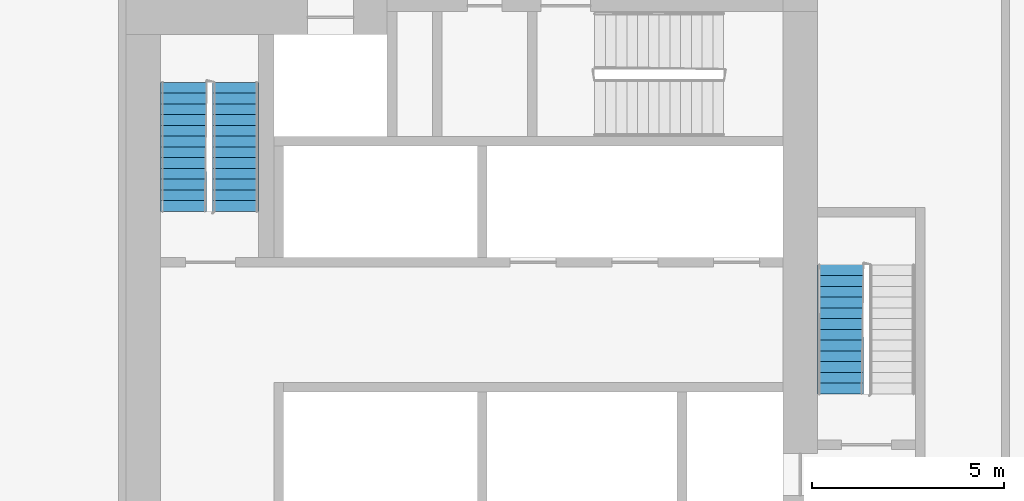
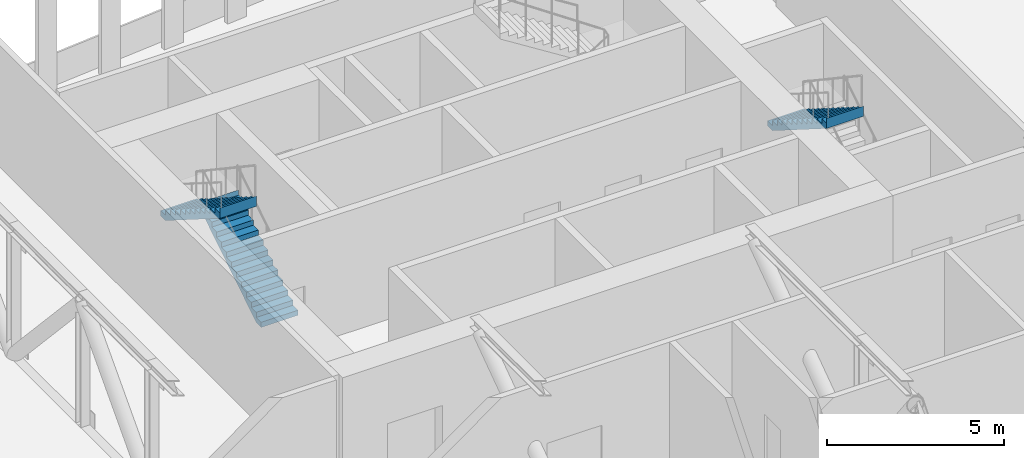
# One storey, part 19 of 22: 3 stair flights, 2 elements without a shape of their own.
"""IFC4 building model written with IfcOpenShell, lengths in metres."""

from ifc_helpers import new_model, si_unit, direction, frame, origin, place, context, subcontext, project, spatial, faceted_brep, material, type_object, element, aggregate, save


model = new_model("IFC4")

# Units and contexts
model_context = context("Model", 3, precision=1e-05, world=origin(), true_north=direction((0.0, 1.0)))
body_context = subcontext(model_context, "Body", "Model", "MODEL_VIEW")
ifc_project = project(units=[si_unit("LENGTHUNIT", "METRE"), si_unit("AREAUNIT", "SQUARE_METRE"), si_unit("VOLUMEUNIT", "CUBIC_METRE"), si_unit("PLANEANGLEUNIT", "RADIAN"), si_unit("MASSUNIT", "GRAM", prefix="KILO")], contexts=[model_context])

# Site, building, storey
site_placement = place(None, origin())
site = spatial("IfcSite", under=ifc_project, at=site_placement, CompositionType="ELEMENT")
building_placement = place(site_placement, origin())
building = spatial("IfcBuilding", under=site, at=building_placement, Name="Kajstack Hotel Tower", CompositionType="ELEMENT")
storey_placement = place(building_placement, frame((0.0, 0.0, 150.39990234375)))
storey = spatial("IfcBuildingStorey", under=building, at=storey_placement, Name="L35", CompositionType="ELEMENT", Elevation=150.39990234375)

# Stair, stair flight
ifc_material = material(Name="Concrete C40/50", Category="concrete")
stair_type = type_object("IfcStairType", Name="Exit stair 1200", PredefinedType="HALF_TURN_STAIR", material=ifc_material)
stair_1_placement = place(storey_placement, origin())
stair_1 = element("IfcStair", 1, at=stair_1_placement, inside=storey, type_object=stair_type, Name="L35 stair E1", PredefinedType="HALF_TURN_STAIR")
stair_flight_type = type_object("IfcStairFlightType", Name="Exit stair flight 1200", PredefinedType="STRAIGHT", material=ifc_material)
stair_flight_1_placement = place(storey_placement, frame((32.10009765625, 8.610107421875, 2.300048828125), z_axis=(0.0, 0.0, 1.0), x_axis=(0.0, -1.0, 0.0)))
stair_flight_1 = element("IfcStairFlight", 2, at=stair_flight_1_placement, type_object=stair_flight_type, Name="E1 flight 2", NumberOfRisers=13, NumberOfTreads=12, PredefinedType="STRAIGHT", RiserHeight=0.176923077, TreadLength=0.28, context=body_context, shape_type="Brep", body=[
    faceted_brep([(0.281005859375, -0.60009765625, 0.0), (3.360595703125, -0.60009765625, 1.94580078125), (3.360595703125, -0.60009765625, 2.300048828125), (3.360107421875, -0.60009765625, 2.300048828125), (3.360107421875, -0.60009765625, 2.123046875), (3.080078125, -0.60009765625, 2.123046875), (3.080078125, -0.60009765625, 1.946044921875), (2.800048828125, -0.60009765625, 1.946044921875), (2.800048828125, -0.60009765625, 1.769287109375), (2.52001953125, -0.60009765625, 1.769287109375), (2.52001953125, -0.60009765625, 1.59228515625), (2.239990234375, -0.60009765625, 1.59228515625), (2.239990234375, -0.60009765625, 1.415283203125), (1.9599609375, -0.60009765625, 1.415283203125), (1.9599609375, -0.60009765625, 1.238525390625), (1.679931640625, -0.60009765625, 1.238525390625), (1.679931640625, -0.60009765625, 1.0615234375), (1.39990234375, -0.60009765625, 1.0615234375), (1.39990234375, -0.60009765625, 0.884521484375), (1.1201171875, -0.60009765625, 0.884521484375), (1.1201171875, -0.60009765625, 0.707763671875), (0.840087890625, -0.60009765625, 0.707763671875), (0.840087890625, -0.60009765625, 0.53076171875), (0.56005859375, -0.60009765625, 0.53076171875), (0.56005859375, -0.60009765625, 0.353759765625), (0.280029296875, -0.60009765625, 0.353759765625), (0.280029296875, -0.60009765625, 0.177001953125), (-0.00048828125, -0.60009765625, 0.177001953125), (-0.00048828125, -0.60009765625, 0.0), (-0.00048828125, 0.60009765625, 0.0), (-0.00048828125, 0.60009765625, 0.177001953125), (0.280029296875, 0.60009765625, 0.177001953125), (0.280029296875, 0.60009765625, 0.353759765625), (0.56005859375, 0.60009765625, 0.353759765625), (0.56005859375, 0.60009765625, 0.53076171875), (0.840087890625, 0.60009765625, 0.53076171875), (0.840087890625, 0.60009765625, 0.707763671875), (1.1201171875, 0.60009765625, 0.707763671875), (1.1201171875, 0.60009765625, 0.884521484375), (1.39990234375, 0.60009765625, 0.884521484375), (1.39990234375, 0.60009765625, 1.0615234375), (1.679931640625, 0.60009765625, 1.0615234375), (1.679931640625, 0.60009765625, 1.238525390625), (1.9599609375, 0.60009765625, 1.238525390625), (1.9599609375, 0.60009765625, 1.415283203125), (2.239990234375, 0.60009765625, 1.415283203125), (2.239990234375, 0.60009765625, 1.59228515625), (2.52001953125, 0.60009765625, 1.59228515625), (2.52001953125, 0.60009765625, 1.769287109375), (2.800048828125, 0.60009765625, 1.769287109375), (2.800048828125, 0.60009765625, 1.946044921875), (3.080078125, 0.60009765625, 1.946044921875), (3.080078125, 0.60009765625, 2.123046875), (3.360107421875, 0.60009765625, 2.123046875), (3.360107421875, 0.60009765625, 2.300048828125), (3.360595703125, 0.60009765625, 2.300048828125), (3.360595703125, 0.60009765625, 1.94580078125), (0.281005859375, 0.60009765625, 0.0), (-0.00048828125, -0.300048828125, 0.177001953125), (-0.00048828125, 0.0, 0.177001953125), (-0.00048828125, 0.300048828125, 0.177001953125), (-0.00048828125, 0.300048828125, 0.0), (-0.00048828125, 0.0, 0.0), (-0.00048828125, -0.300048828125, 0.0), (0.280029296875, -0.300048828125, 0.177001953125), (0.280029296875, 0.0, 0.177001953125), (0.280029296875, 0.300048828125, 0.177001953125), (0.280029296875, -0.300048828125, 0.353759765625), (0.280029296875, 0.0, 0.353759765625), (0.280029296875, 0.300048828125, 0.353759765625), (0.56005859375, -0.300048828125, 0.353759765625), (0.56005859375, 0.0, 0.353759765625), (0.56005859375, 0.300048828125, 0.353759765625), (0.56005859375, -0.300048828125, 0.53076171875), (0.56005859375, 0.0, 0.53076171875), (0.56005859375, 0.300048828125, 0.53076171875), (0.840087890625, -0.300048828125, 0.53076171875), (0.840087890625, 0.0, 0.53076171875), (0.840087890625, 0.300048828125, 0.53076171875), (0.840087890625, -0.300048828125, 0.707763671875), (0.840087890625, 0.0, 0.707763671875), (0.840087890625, 0.300048828125, 0.707763671875), (1.1201171875, -0.300048828125, 0.707763671875), (1.1201171875, 0.0, 0.707763671875), (1.1201171875, 0.300048828125, 0.707763671875), (1.1201171875, -0.300048828125, 0.884521484375), (1.1201171875, 0.0, 0.884521484375), (1.1201171875, 0.300048828125, 0.884521484375), (1.39990234375, -0.300048828125, 0.884521484375), (1.39990234375, 0.0, 0.884521484375), (1.39990234375, 0.300048828125, 0.884521484375), (1.39990234375, -0.300048828125, 1.0615234375), (1.39990234375, 0.0, 1.0615234375), (1.39990234375, 0.300048828125, 1.0615234375), (1.679931640625, -0.300048828125, 1.0615234375), (1.679931640625, 0.0, 1.0615234375), (1.679931640625, 0.300048828125, 1.0615234375), (1.679931640625, -0.300048828125, 1.238525390625), (1.679931640625, 0.0, 1.238525390625), (1.679931640625, 0.300048828125, 1.238525390625), (1.9599609375, -0.300048828125, 1.238525390625), (1.9599609375, 0.0, 1.238525390625), (1.9599609375, 0.300048828125, 1.238525390625), (1.9599609375, -0.300048828125, 1.415283203125), (1.9599609375, 0.0, 1.415283203125), (1.9599609375, 0.300048828125, 1.415283203125), (2.239990234375, -0.300048828125, 1.415283203125), (2.239990234375, 0.0, 1.415283203125), (2.239990234375, 0.300048828125, 1.415283203125), (2.239990234375, -0.300048828125, 1.59228515625), (2.239990234375, 0.0, 1.59228515625), (2.239990234375, 0.300048828125, 1.59228515625), (2.52001953125, -0.300048828125, 1.59228515625), (2.52001953125, 0.0, 1.59228515625), (2.52001953125, 0.300048828125, 1.59228515625), (2.52001953125, -0.300048828125, 1.769287109375), (2.52001953125, 0.0, 1.769287109375), (2.52001953125, 0.300048828125, 1.769287109375), (2.800048828125, -0.300048828125, 1.769287109375), (2.800048828125, 0.0, 1.769287109375), (2.800048828125, 0.300048828125, 1.769287109375), (2.800048828125, -0.300048828125, 1.946044921875), (2.800048828125, 0.0, 1.946044921875), (2.800048828125, 0.300048828125, 1.946044921875), (3.080078125, -0.300048828125, 1.946044921875), (3.080078125, 0.0, 1.946044921875), (3.080078125, 0.300048828125, 1.946044921875), (3.080078125, -0.300048828125, 2.123046875), (3.080078125, 0.0, 2.123046875), (3.080078125, 0.300048828125, 2.123046875), (3.360107421875, -0.300048828125, 2.123046875), (3.360107421875, 0.0, 2.123046875), (3.360107421875, 0.300048828125, 2.123046875), (3.360107421875, -0.300048828125, 2.300048828125), (3.360107421875, 0.0, 2.300048828125), (3.360107421875, 0.300048828125, 2.300048828125), (3.360595703125, -0.300048828125, 2.300048828125), (3.360595703125, 0.0, 2.300048828125), (3.360595703125, 0.300048828125, 2.300048828125), (3.360595703125, -0.300048828125, 1.94580078125), (3.360595703125, 0.0, 1.94580078125), (3.360595703125, 0.300048828125, 1.94580078125), (0.281005859375, -0.300048828125, 0.0), (0.281005859375, 0.0, 0.0), (0.281005859375, 0.300048828125, 0.0)], [[[0, 1, 2, 3, 4, 5, 6, 7, 8, 9, 10, 11, 12, 13, 14, 15, 16, 17, 18, 19, 20, 21, 22, 23, 24, 25, 26, 27, 28]], [[29, 30, 31, 32, 33, 34, 35, 36, 37, 38, 39, 40, 41, 42, 43, 44, 45, 46, 47, 48, 49, 50, 51, 52, 53, 54, 55, 56, 57]], [[27, 58, 59, 60, 30, 29, 61, 62, 63, 28]], [[26, 64, 65, 66, 31, 30, 60, 59, 58, 27]], [[25, 67, 68, 69, 32, 31, 66, 65, 64, 26]], [[24, 70, 71, 72, 33, 32, 69, 68, 67, 25]], [[23, 73, 74, 75, 34, 33, 72, 71, 70, 24]], [[22, 76, 77, 78, 35, 34, 75, 74, 73, 23]], [[21, 79, 80, 81, 36, 35, 78, 77, 76, 22]], [[20, 82, 83, 84, 37, 36, 81, 80, 79, 21]], [[19, 85, 86, 87, 38, 37, 84, 83, 82, 20]], [[18, 88, 89, 90, 39, 38, 87, 86, 85, 19]], [[17, 91, 92, 93, 40, 39, 90, 89, 88, 18]], [[16, 94, 95, 96, 41, 40, 93, 92, 91, 17]], [[15, 97, 98, 99, 42, 41, 96, 95, 94, 16]], [[14, 100, 101, 102, 43, 42, 99, 98, 97, 15]], [[13, 103, 104, 105, 44, 43, 102, 101, 100, 14]], [[12, 106, 107, 108, 45, 44, 105, 104, 103, 13]], [[11, 109, 110, 111, 46, 45, 108, 107, 106, 12]], [[10, 112, 113, 114, 47, 46, 111, 110, 109, 11]], [[9, 115, 116, 117, 48, 47, 114, 113, 112, 10]], [[8, 118, 119, 120, 49, 48, 117, 116, 115, 9]], [[7, 121, 122, 123, 50, 49, 120, 119, 118, 8]], [[6, 124, 125, 126, 51, 50, 123, 122, 121, 7]], [[5, 127, 128, 129, 52, 51, 126, 125, 124, 6]], [[4, 130, 131, 132, 53, 52, 129, 128, 127, 5]], [[3, 133, 134, 135, 54, 53, 132, 131, 130, 4]], [[2, 136, 137, 138, 55, 54, 135, 134, 133, 3]], [[1, 139, 140, 141, 56, 55, 138, 137, 136, 2]], [[0, 142, 143, 144, 57, 56, 141, 140, 139, 1]], [[28, 63, 62, 61, 29, 57, 144, 143, 142, 0]]]),
])
aggregate(stair_1, [stair_flight_1])

# Stair, stair flights
stair_2_placement = place(storey_placement, origin())
stair_2 = element("IfcStair", 3, at=stair_2_placement, inside=storey, type_object=stair_type, Name="L35 stair E2", PredefinedType="HALF_TURN_STAIR")
stair_flight_2_placement = place(storey_placement, frame((16.35009765625, 10.0, 0.0), z_axis=(0.0, 0.0, 1.0), x_axis=(0.0, 1.0, 0.0)))
stair_flight_2 = element("IfcStairFlight", 4, at=stair_flight_2_placement, type_object=stair_flight_type, Name="E2 flight 1", NumberOfRisers=13, NumberOfTreads=12, PredefinedType="STRAIGHT", RiserHeight=0.176923077, TreadLength=0.28, context=body_context, shape_type="Brep", body=[
    faceted_brep([(0.281005859375, -0.60009765625, 0.0), (3.360595703125, -0.60009765625, 1.94580078125), (3.360595703125, -0.60009765625, 2.300048828125), (3.360107421875, -0.60009765625, 2.300048828125), (3.360107421875, -0.60009765625, 2.123046875), (3.080078125, -0.60009765625, 2.123046875), (3.080078125, -0.60009765625, 1.946044921875), (2.800048828125, -0.60009765625, 1.946044921875), (2.800048828125, -0.60009765625, 1.769287109375), (2.52001953125, -0.60009765625, 1.769287109375), (2.52001953125, -0.60009765625, 1.59228515625), (2.239990234375, -0.60009765625, 1.59228515625), (2.239990234375, -0.60009765625, 1.415283203125), (1.9599609375, -0.60009765625, 1.415283203125), (1.9599609375, -0.60009765625, 1.238525390625), (1.679931640625, -0.60009765625, 1.238525390625), (1.679931640625, -0.60009765625, 1.0615234375), (1.39990234375, -0.60009765625, 1.0615234375), (1.39990234375, -0.60009765625, 0.884521484375), (1.1201171875, -0.60009765625, 0.884521484375), (1.1201171875, -0.60009765625, 0.707763671875), (0.840087890625, -0.60009765625, 0.707763671875), (0.840087890625, -0.60009765625, 0.53076171875), (0.56005859375, -0.60009765625, 0.53076171875), (0.56005859375, -0.60009765625, 0.353759765625), (0.280029296875, -0.60009765625, 0.353759765625), (0.280029296875, -0.60009765625, 0.177001953125), (-0.00048828125, -0.60009765625, 0.177001953125), (-0.00048828125, -0.60009765625, 0.0), (-0.00048828125, 0.60009765625, 0.0), (-0.00048828125, 0.60009765625, 0.177001953125), (0.280029296875, 0.60009765625, 0.177001953125), (0.280029296875, 0.60009765625, 0.353759765625), (0.56005859375, 0.60009765625, 0.353759765625), (0.56005859375, 0.60009765625, 0.53076171875), (0.840087890625, 0.60009765625, 0.53076171875), (0.840087890625, 0.60009765625, 0.707763671875), (1.1201171875, 0.60009765625, 0.707763671875), (1.1201171875, 0.60009765625, 0.884521484375), (1.39990234375, 0.60009765625, 0.884521484375), (1.39990234375, 0.60009765625, 1.0615234375), (1.679931640625, 0.60009765625, 1.0615234375), (1.679931640625, 0.60009765625, 1.238525390625), (1.9599609375, 0.60009765625, 1.238525390625), (1.9599609375, 0.60009765625, 1.415283203125), (2.239990234375, 0.60009765625, 1.415283203125), (2.239990234375, 0.60009765625, 1.59228515625), (2.52001953125, 0.60009765625, 1.59228515625), (2.52001953125, 0.60009765625, 1.769287109375), (2.800048828125, 0.60009765625, 1.769287109375), (2.800048828125, 0.60009765625, 1.946044921875), (3.080078125, 0.60009765625, 1.946044921875), (3.080078125, 0.60009765625, 2.123046875), (3.360107421875, 0.60009765625, 2.123046875), (3.360107421875, 0.60009765625, 2.300048828125), (3.360595703125, 0.60009765625, 2.300048828125), (3.360595703125, 0.60009765625, 1.94580078125), (0.281005859375, 0.60009765625, 0.0), (-0.00048828125, -0.300048828125, 0.177001953125), (-0.00048828125, 0.0, 0.177001953125), (-0.00048828125, 0.300048828125, 0.177001953125), (-0.00048828125, 0.300048828125, 0.0), (-0.00048828125, 0.0, 0.0), (-0.00048828125, -0.300048828125, 0.0), (0.280029296875, -0.300048828125, 0.177001953125), (0.280029296875, 0.0, 0.177001953125), (0.280029296875, 0.300048828125, 0.177001953125), (0.280029296875, -0.300048828125, 0.353759765625), (0.280029296875, 0.0, 0.353759765625), (0.280029296875, 0.300048828125, 0.353759765625), (0.56005859375, -0.300048828125, 0.353759765625), (0.56005859375, 0.0, 0.353759765625), (0.56005859375, 0.300048828125, 0.353759765625), (0.56005859375, -0.300048828125, 0.53076171875), (0.56005859375, 0.0, 0.53076171875), (0.56005859375, 0.300048828125, 0.53076171875), (0.840087890625, -0.300048828125, 0.53076171875), (0.840087890625, 0.0, 0.53076171875), (0.840087890625, 0.300048828125, 0.53076171875), (0.840087890625, -0.300048828125, 0.707763671875), (0.840087890625, 0.0, 0.707763671875), (0.840087890625, 0.300048828125, 0.707763671875), (1.1201171875, -0.300048828125, 0.707763671875), (1.1201171875, 0.0, 0.707763671875), (1.1201171875, 0.300048828125, 0.707763671875), (1.1201171875, -0.300048828125, 0.884521484375), (1.1201171875, 0.0, 0.884521484375), (1.1201171875, 0.300048828125, 0.884521484375), (1.39990234375, -0.300048828125, 0.884521484375), (1.39990234375, 0.0, 0.884521484375), (1.39990234375, 0.300048828125, 0.884521484375), (1.39990234375, -0.300048828125, 1.0615234375), (1.39990234375, 0.0, 1.0615234375), (1.39990234375, 0.300048828125, 1.0615234375), (1.679931640625, -0.300048828125, 1.0615234375), (1.679931640625, 0.0, 1.0615234375), (1.679931640625, 0.300048828125, 1.0615234375), (1.679931640625, -0.300048828125, 1.238525390625), (1.679931640625, 0.0, 1.238525390625), (1.679931640625, 0.300048828125, 1.238525390625), (1.9599609375, -0.300048828125, 1.238525390625), (1.9599609375, 0.0, 1.238525390625), (1.9599609375, 0.300048828125, 1.238525390625), (1.9599609375, -0.300048828125, 1.415283203125), (1.9599609375, 0.0, 1.415283203125), (1.9599609375, 0.300048828125, 1.415283203125), (2.239990234375, -0.300048828125, 1.415283203125), (2.239990234375, 0.0, 1.415283203125), (2.239990234375, 0.300048828125, 1.415283203125), (2.239990234375, -0.300048828125, 1.59228515625), (2.239990234375, 0.0, 1.59228515625), (2.239990234375, 0.300048828125, 1.59228515625), (2.52001953125, -0.300048828125, 1.59228515625), (2.52001953125, 0.0, 1.59228515625), (2.52001953125, 0.300048828125, 1.59228515625), (2.52001953125, -0.300048828125, 1.769287109375), (2.52001953125, 0.0, 1.769287109375), (2.52001953125, 0.300048828125, 1.769287109375), (2.800048828125, -0.300048828125, 1.769287109375), (2.800048828125, 0.0, 1.769287109375), (2.800048828125, 0.300048828125, 1.769287109375), (2.800048828125, -0.300048828125, 1.946044921875), (2.800048828125, 0.0, 1.946044921875), (2.800048828125, 0.300048828125, 1.946044921875), (3.080078125, -0.300048828125, 1.946044921875), (3.080078125, 0.0, 1.946044921875), (3.080078125, 0.300048828125, 1.946044921875), (3.080078125, -0.300048828125, 2.123046875), (3.080078125, 0.0, 2.123046875), (3.080078125, 0.300048828125, 2.123046875), (3.360107421875, -0.300048828125, 2.123046875), (3.360107421875, 0.0, 2.123046875), (3.360107421875, 0.300048828125, 2.123046875), (3.360107421875, -0.300048828125, 2.300048828125), (3.360107421875, 0.0, 2.300048828125), (3.360107421875, 0.300048828125, 2.300048828125), (3.360595703125, -0.300048828125, 2.300048828125), (3.360595703125, 0.0, 2.300048828125), (3.360595703125, 0.300048828125, 2.300048828125), (3.360595703125, -0.300048828125, 1.94580078125), (3.360595703125, 0.0, 1.94580078125), (3.360595703125, 0.300048828125, 1.94580078125), (0.281005859375, -0.300048828125, 0.0), (0.281005859375, 0.0, 0.0), (0.281005859375, 0.300048828125, 0.0)], [[[0, 1, 2, 3, 4, 5, 6, 7, 8, 9, 10, 11, 12, 13, 14, 15, 16, 17, 18, 19, 20, 21, 22, 23, 24, 25, 26, 27, 28]], [[29, 30, 31, 32, 33, 34, 35, 36, 37, 38, 39, 40, 41, 42, 43, 44, 45, 46, 47, 48, 49, 50, 51, 52, 53, 54, 55, 56, 57]], [[27, 58, 59, 60, 30, 29, 61, 62, 63, 28]], [[26, 64, 65, 66, 31, 30, 60, 59, 58, 27]], [[25, 67, 68, 69, 32, 31, 66, 65, 64, 26]], [[24, 70, 71, 72, 33, 32, 69, 68, 67, 25]], [[23, 73, 74, 75, 34, 33, 72, 71, 70, 24]], [[22, 76, 77, 78, 35, 34, 75, 74, 73, 23]], [[21, 79, 80, 81, 36, 35, 78, 77, 76, 22]], [[20, 82, 83, 84, 37, 36, 81, 80, 79, 21]], [[19, 85, 86, 87, 38, 37, 84, 83, 82, 20]], [[18, 88, 89, 90, 39, 38, 87, 86, 85, 19]], [[17, 91, 92, 93, 40, 39, 90, 89, 88, 18]], [[16, 94, 95, 96, 41, 40, 93, 92, 91, 17]], [[15, 97, 98, 99, 42, 41, 96, 95, 94, 16]], [[14, 100, 101, 102, 43, 42, 99, 98, 97, 15]], [[13, 103, 104, 105, 44, 43, 102, 101, 100, 14]], [[12, 106, 107, 108, 45, 44, 105, 104, 103, 13]], [[11, 109, 110, 111, 46, 45, 108, 107, 106, 12]], [[10, 112, 113, 114, 47, 46, 111, 110, 109, 11]], [[9, 115, 116, 117, 48, 47, 114, 113, 112, 10]], [[8, 118, 119, 120, 49, 48, 117, 116, 115, 9]], [[7, 121, 122, 123, 50, 49, 120, 119, 118, 8]], [[6, 124, 125, 126, 51, 50, 123, 122, 121, 7]], [[5, 127, 128, 129, 52, 51, 126, 125, 124, 6]], [[4, 130, 131, 132, 53, 52, 129, 128, 127, 5]], [[3, 133, 134, 135, 54, 53, 132, 131, 130, 4]], [[2, 136, 137, 138, 55, 54, 135, 134, 133, 3]], [[1, 139, 140, 141, 56, 55, 138, 137, 136, 2]], [[0, 142, 143, 144, 57, 56, 141, 140, 139, 1]], [[28, 63, 62, 61, 29, 57, 144, 143, 142, 0]]]),
])
stair_flight_3_placement = place(storey_placement, frame((15.0, 13.360107421875, 2.300048828125), z_axis=(0.0, 0.0, 1.0), x_axis=(0.0, -1.0, 0.0)))
stair_flight_3 = element("IfcStairFlight", 5, at=stair_flight_3_placement, type_object=stair_flight_type, Name="E2 flight 2", NumberOfRisers=13, NumberOfTreads=12, PredefinedType="STRAIGHT", RiserHeight=0.176923077, TreadLength=0.28, context=body_context, shape_type="Brep", body=[
    faceted_brep([(0.281005859375, -0.60009765625, 0.0), (3.360595703125, -0.60009765625, 1.94580078125), (3.360595703125, -0.60009765625, 2.300048828125), (3.360107421875, -0.60009765625, 2.300048828125), (3.360107421875, -0.60009765625, 2.123046875), (3.080078125, -0.60009765625, 2.123046875), (3.080078125, -0.60009765625, 1.946044921875), (2.800048828125, -0.60009765625, 1.946044921875), (2.800048828125, -0.60009765625, 1.769287109375), (2.52001953125, -0.60009765625, 1.769287109375), (2.52001953125, -0.60009765625, 1.59228515625), (2.239990234375, -0.60009765625, 1.59228515625), (2.239990234375, -0.60009765625, 1.415283203125), (1.9599609375, -0.60009765625, 1.415283203125), (1.9599609375, -0.60009765625, 1.238525390625), (1.679931640625, -0.60009765625, 1.238525390625), (1.679931640625, -0.60009765625, 1.0615234375), (1.39990234375, -0.60009765625, 1.0615234375), (1.39990234375, -0.60009765625, 0.884521484375), (1.1201171875, -0.60009765625, 0.884521484375), (1.1201171875, -0.60009765625, 0.707763671875), (0.840087890625, -0.60009765625, 0.707763671875), (0.840087890625, -0.60009765625, 0.53076171875), (0.56005859375, -0.60009765625, 0.53076171875), (0.56005859375, -0.60009765625, 0.353759765625), (0.280029296875, -0.60009765625, 0.353759765625), (0.280029296875, -0.60009765625, 0.177001953125), (-0.00048828125, -0.60009765625, 0.177001953125), (-0.00048828125, -0.60009765625, 0.0), (-0.00048828125, 0.60009765625, 0.0), (-0.00048828125, 0.60009765625, 0.177001953125), (0.280029296875, 0.60009765625, 0.177001953125), (0.280029296875, 0.60009765625, 0.353759765625), (0.56005859375, 0.60009765625, 0.353759765625), (0.56005859375, 0.60009765625, 0.53076171875), (0.840087890625, 0.60009765625, 0.53076171875), (0.840087890625, 0.60009765625, 0.707763671875), (1.1201171875, 0.60009765625, 0.707763671875), (1.1201171875, 0.60009765625, 0.884521484375), (1.39990234375, 0.60009765625, 0.884521484375), (1.39990234375, 0.60009765625, 1.0615234375), (1.679931640625, 0.60009765625, 1.0615234375), (1.679931640625, 0.60009765625, 1.238525390625), (1.9599609375, 0.60009765625, 1.238525390625), (1.9599609375, 0.60009765625, 1.415283203125), (2.239990234375, 0.60009765625, 1.415283203125), (2.239990234375, 0.60009765625, 1.59228515625), (2.52001953125, 0.60009765625, 1.59228515625), (2.52001953125, 0.60009765625, 1.769287109375), (2.800048828125, 0.60009765625, 1.769287109375), (2.800048828125, 0.60009765625, 1.946044921875), (3.080078125, 0.60009765625, 1.946044921875), (3.080078125, 0.60009765625, 2.123046875), (3.360107421875, 0.60009765625, 2.123046875), (3.360107421875, 0.60009765625, 2.300048828125), (3.360595703125, 0.60009765625, 2.300048828125), (3.360595703125, 0.60009765625, 1.94580078125), (0.281005859375, 0.60009765625, 0.0), (-0.00048828125, -0.300048828125, 0.177001953125), (-0.00048828125, 0.0, 0.177001953125), (-0.00048828125, 0.300048828125, 0.177001953125), (-0.00048828125, 0.300048828125, 0.0), (-0.00048828125, 0.0, 0.0), (-0.00048828125, -0.300048828125, 0.0), (0.280029296875, -0.300048828125, 0.177001953125), (0.280029296875, 0.0, 0.177001953125), (0.280029296875, 0.300048828125, 0.177001953125), (0.280029296875, -0.300048828125, 0.353759765625), (0.280029296875, 0.0, 0.353759765625), (0.280029296875, 0.300048828125, 0.353759765625), (0.56005859375, -0.300048828125, 0.353759765625), (0.56005859375, 0.0, 0.353759765625), (0.56005859375, 0.300048828125, 0.353759765625), (0.56005859375, -0.300048828125, 0.53076171875), (0.56005859375, 0.0, 0.53076171875), (0.56005859375, 0.300048828125, 0.53076171875), (0.840087890625, -0.300048828125, 0.53076171875), (0.840087890625, 0.0, 0.53076171875), (0.840087890625, 0.300048828125, 0.53076171875), (0.840087890625, -0.300048828125, 0.707763671875), (0.840087890625, 0.0, 0.707763671875), (0.840087890625, 0.300048828125, 0.707763671875), (1.1201171875, -0.300048828125, 0.707763671875), (1.1201171875, 0.0, 0.707763671875), (1.1201171875, 0.300048828125, 0.707763671875), (1.1201171875, -0.300048828125, 0.884521484375), (1.1201171875, 0.0, 0.884521484375), (1.1201171875, 0.300048828125, 0.884521484375), (1.39990234375, -0.300048828125, 0.884521484375), (1.39990234375, 0.0, 0.884521484375), (1.39990234375, 0.300048828125, 0.884521484375), (1.39990234375, -0.300048828125, 1.0615234375), (1.39990234375, 0.0, 1.0615234375), (1.39990234375, 0.300048828125, 1.0615234375), (1.679931640625, -0.300048828125, 1.0615234375), (1.679931640625, 0.0, 1.0615234375), (1.679931640625, 0.300048828125, 1.0615234375), (1.679931640625, -0.300048828125, 1.238525390625), (1.679931640625, 0.0, 1.238525390625), (1.679931640625, 0.300048828125, 1.238525390625), (1.9599609375, -0.300048828125, 1.238525390625), (1.9599609375, 0.0, 1.238525390625), (1.9599609375, 0.300048828125, 1.238525390625), (1.9599609375, -0.300048828125, 1.415283203125), (1.9599609375, 0.0, 1.415283203125), (1.9599609375, 0.300048828125, 1.415283203125), (2.239990234375, -0.300048828125, 1.415283203125), (2.239990234375, 0.0, 1.415283203125), (2.239990234375, 0.300048828125, 1.415283203125), (2.239990234375, -0.300048828125, 1.59228515625), (2.239990234375, 0.0, 1.59228515625), (2.239990234375, 0.300048828125, 1.59228515625), (2.52001953125, -0.300048828125, 1.59228515625), (2.52001953125, 0.0, 1.59228515625), (2.52001953125, 0.300048828125, 1.59228515625), (2.52001953125, -0.300048828125, 1.769287109375), (2.52001953125, 0.0, 1.769287109375), (2.52001953125, 0.300048828125, 1.769287109375), (2.800048828125, -0.300048828125, 1.769287109375), (2.800048828125, 0.0, 1.769287109375), (2.800048828125, 0.300048828125, 1.769287109375), (2.800048828125, -0.300048828125, 1.946044921875), (2.800048828125, 0.0, 1.946044921875), (2.800048828125, 0.300048828125, 1.946044921875), (3.080078125, -0.300048828125, 1.946044921875), (3.080078125, 0.0, 1.946044921875), (3.080078125, 0.300048828125, 1.946044921875), (3.080078125, -0.300048828125, 2.123046875), (3.080078125, 0.0, 2.123046875), (3.080078125, 0.300048828125, 2.123046875), (3.360107421875, -0.300048828125, 2.123046875), (3.360107421875, 0.0, 2.123046875), (3.360107421875, 0.300048828125, 2.123046875), (3.360107421875, -0.300048828125, 2.300048828125), (3.360107421875, 0.0, 2.300048828125), (3.360107421875, 0.300048828125, 2.300048828125), (3.360595703125, -0.300048828125, 2.300048828125), (3.360595703125, 0.0, 2.300048828125), (3.360595703125, 0.300048828125, 2.300048828125), (3.360595703125, -0.300048828125, 1.94580078125), (3.360595703125, 0.0, 1.94580078125), (3.360595703125, 0.300048828125, 1.94580078125), (0.281005859375, -0.300048828125, 0.0), (0.281005859375, 0.0, 0.0), (0.281005859375, 0.300048828125, 0.0)], [[[0, 1, 2, 3, 4, 5, 6, 7, 8, 9, 10, 11, 12, 13, 14, 15, 16, 17, 18, 19, 20, 21, 22, 23, 24, 25, 26, 27, 28]], [[29, 30, 31, 32, 33, 34, 35, 36, 37, 38, 39, 40, 41, 42, 43, 44, 45, 46, 47, 48, 49, 50, 51, 52, 53, 54, 55, 56, 57]], [[27, 58, 59, 60, 30, 29, 61, 62, 63, 28]], [[26, 64, 65, 66, 31, 30, 60, 59, 58, 27]], [[25, 67, 68, 69, 32, 31, 66, 65, 64, 26]], [[24, 70, 71, 72, 33, 32, 69, 68, 67, 25]], [[23, 73, 74, 75, 34, 33, 72, 71, 70, 24]], [[22, 76, 77, 78, 35, 34, 75, 74, 73, 23]], [[21, 79, 80, 81, 36, 35, 78, 77, 76, 22]], [[20, 82, 83, 84, 37, 36, 81, 80, 79, 21]], [[19, 85, 86, 87, 38, 37, 84, 83, 82, 20]], [[18, 88, 89, 90, 39, 38, 87, 86, 85, 19]], [[17, 91, 92, 93, 40, 39, 90, 89, 88, 18]], [[16, 94, 95, 96, 41, 40, 93, 92, 91, 17]], [[15, 97, 98, 99, 42, 41, 96, 95, 94, 16]], [[14, 100, 101, 102, 43, 42, 99, 98, 97, 15]], [[13, 103, 104, 105, 44, 43, 102, 101, 100, 14]], [[12, 106, 107, 108, 45, 44, 105, 104, 103, 13]], [[11, 109, 110, 111, 46, 45, 108, 107, 106, 12]], [[10, 112, 113, 114, 47, 46, 111, 110, 109, 11]], [[9, 115, 116, 117, 48, 47, 114, 113, 112, 10]], [[8, 118, 119, 120, 49, 48, 117, 116, 115, 9]], [[7, 121, 122, 123, 50, 49, 120, 119, 118, 8]], [[6, 124, 125, 126, 51, 50, 123, 122, 121, 7]], [[5, 127, 128, 129, 52, 51, 126, 125, 124, 6]], [[4, 130, 131, 132, 53, 52, 129, 128, 127, 5]], [[3, 133, 134, 135, 54, 53, 132, 131, 130, 4]], [[2, 136, 137, 138, 55, 54, 135, 134, 133, 3]], [[1, 139, 140, 141, 56, 55, 138, 137, 136, 2]], [[0, 142, 143, 144, 57, 56, 141, 140, 139, 1]], [[28, 63, 62, 61, 29, 57, 144, 143, 142, 0]]]),
])
aggregate(stair_2, [stair_flight_2, stair_flight_3])

save(model, "model.ifc")
